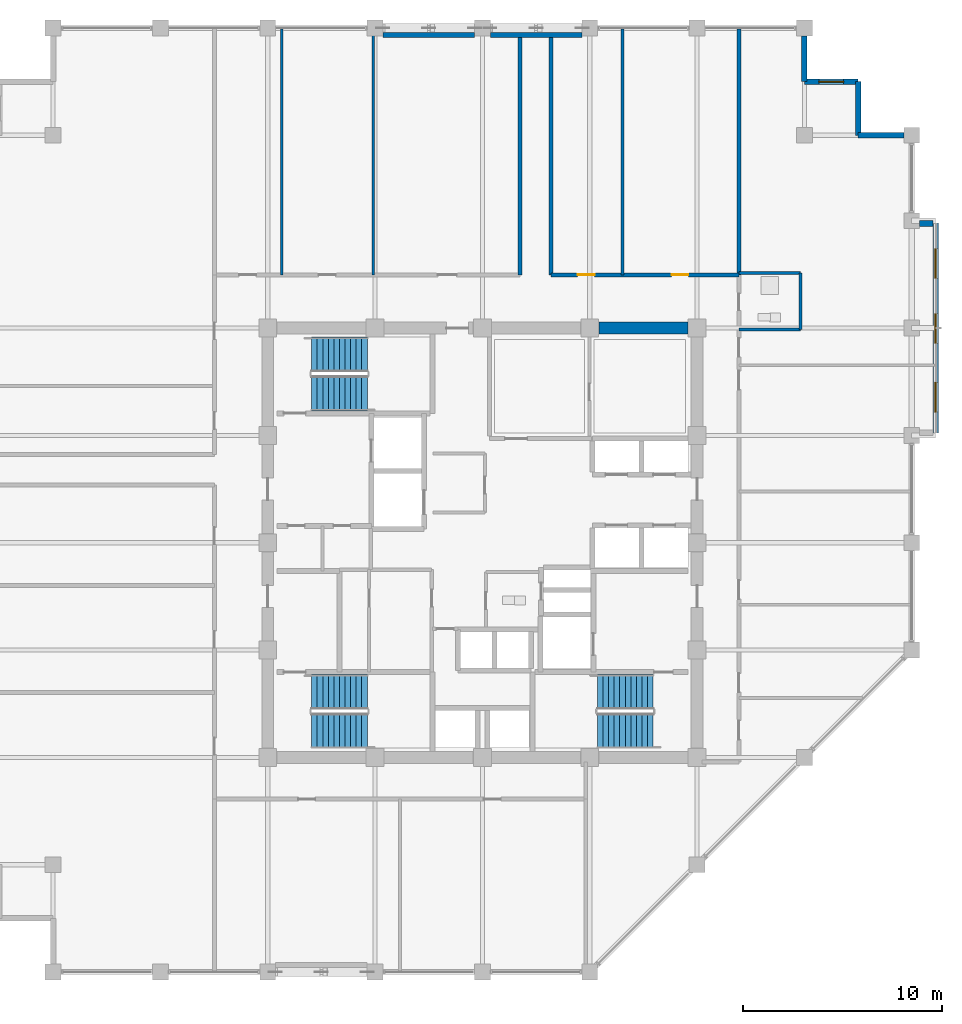
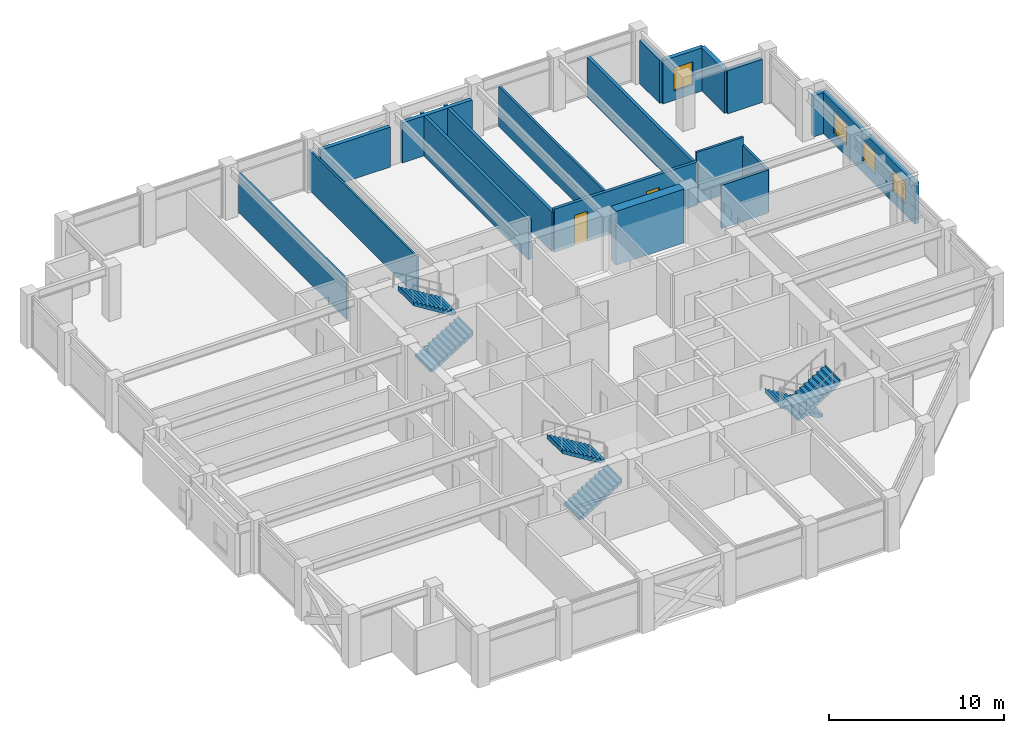
# One storey, part 27 of 30: 19 walls, 6 stair flights, 4 windows, 2 doors, 6 openings, 3 elements without a shape of their own.
"""IFC4 building model written with IfcOpenShell, lengths in metres."""

from ifc_helpers import new_model, si_unit, direction, frame, frame_2d, origin, place, context, subcontext, project, spatial, polyline, rectangle, outline, extrude, material, layer, layer_set, type_object, element, fill, aggregate, save


model = new_model("IFC4")

# Units and contexts
model_context = context("Model", 3, precision=1e-05, world=origin(), true_north=direction((0.0, 1.0)))
body_context = subcontext(model_context, "Body", "Model", "MODEL_VIEW")
ifc_project = project(units=[si_unit("LENGTHUNIT", "METRE"), si_unit("AREAUNIT", "SQUARE_METRE"), si_unit("VOLUMEUNIT", "CUBIC_METRE"), si_unit("PLANEANGLEUNIT", "RADIAN"), si_unit("MASSUNIT", "GRAM", prefix="KILO")], contexts=[model_context])

# Site, building, storey
site_placement = place(None, origin())
site = spatial("IfcSite", under=ifc_project, at=site_placement, CompositionType="ELEMENT")
building_placement = place(site_placement, origin())
building = spatial("IfcBuilding", under=site, at=building_placement, Name="Surkhivell Harbour Commons", CompositionType="ELEMENT")
storey_placement = place(building_placement, frame((0.0, 0.0, 231.0)))
storey = spatial("IfcBuildingStorey", under=building, at=storey_placement, Name="L60", CompositionType="ELEMENT", Elevation=231.0)

# Walls
ifc_material_1 = material(Name="Concrete C60/75", Category="concrete")
ifc_layer_1 = layer(ifc_material_1, 0.60009765625)
ifc_layer_set_1 = layer_set([ifc_layer_1], Name="Concrete C60/75")
wall_type_1 = type_object("IfcWallType", Name="WAL-CORE-600", PredefinedType="SHEAR", material=ifc_layer_set_1)
wall_1_placement = place(storey_placement, frame((5.860107421875, 10.800048828125, 0.0), z_axis=(0.0, 0.0, 1.0), x_axis=(1.0, 0.0, 0.0)))
element("IfcWall", 1, at=wall_1_placement, inside=storey, type_object=wall_type_1, Name="L60 Core Shear Wall North 4", PredefinedType="SHEAR", context=body_context, shape_type="SweptSolid", body=[
    extrude(rectangle(XDim=4.47998046875, YDim=0.60009765625, at=frame_2d((2.239990234375, 0.0))), origin(), (0.0, 0.0, 1.0), 3.75),
])
ifc_material_2 = material(Name="Pale-metal insulated precast concrete C45/55", Category="concrete")
ifc_layer_2 = layer(ifc_material_2, 0.260009765625)
ifc_layer_set_2 = layer_set([ifc_layer_2], Name="Pale-metal insulated precast concrete C45/55")
wall_type_2 = type_object("IfcWallType", Name="WAL-EXT-MTL260", PredefinedType="STANDARD", material=ifc_layer_set_2)
for number, where, z_axis, x_axis, name in (
    (2, (-0.39794921875, 25.5400390625, 0.0), (0.0, 0.0, 1.0), (-1.0, 0.0, 0.0), "L60 Braced-Bay Insulated Spandrel Backing N"),
    (3, (5.001953125, 25.5400390625, 0.0), (0.0, 0.0, 1.0), (-1.0, 0.0, 0.0), "L60 Braced-Bay Insulated Spandrel Backing N2"),
):
    element("IfcWall", number, at=place(storey_placement, frame(where, z_axis=z_axis, x_axis=x_axis)), inside=storey, type_object=wall_type_2, Name=name, PredefinedType="STANDARD", context=body_context, shape_type="SweptSolid", body=[
        extrude(rectangle(XDim=4.60400390625, YDim=0.260009765625, at=frame_2d((2.302001953125, 0.0))), origin(), (0.0, 0.0, 1.0), 2.780029296875),
    ])

# Wall, openings, windows
ifc_material_3 = material(Name="Terracotta-clad reinforced concrete C45/55", Category="masonry")
ifc_layer_3 = layer(ifc_material_3, 0.280029296875)
ifc_layer_set_3 = layer_set([ifc_layer_3], Name="Terracotta-clad reinforced concrete C45/55")
wall_type_3 = type_object("IfcWallType", Name="WAL-EXT-TER280", PredefinedType="STANDARD", material=ifc_layer_set_3)
wall_2_placement = place(storey_placement, frame((22.800048828125, 5.52001953125, 0.0), z_axis=(0.0, 0.0, 1.0), x_axis=(0.0, 1.0, 0.0)))
wall_2 = element("IfcWall", 4, at=wall_2_placement, inside=storey, type_object=wall_type_3, Name="L60 Coloured Box Front Wall 01", PredefinedType="STANDARD", context=body_context, shape_type="SweptSolid", body=[
    extrude(rectangle(XDim=10.56005859375, YDim=0.280029296875, at=frame_2d((5.280029296875, 0.0))), origin(), (0.0, 0.0, 1.0), 2.85693359375),
])
opening_1_placement = place(wall_2_placement, frame((1.044921875, 0.0, 0.75)))
opening_1 = element("IfcOpeningElement", 5, at=opening_1_placement, cuts=wall_2, Name="Opening WN-13", PredefinedType="OPENING", context=body_context, shape_type="SweptSolid", body=[
    extrude(rectangle(XDim=1.5, YDim=1.5, at=frame_2d((0.75, 0.75))), frame((0.0, 0.14990234375, 0.0), z_axis=(0.0, -1.0, 0.0), x_axis=(1.0, 0.0, 0.0)), (0.0, 0.0, 1.0), 0.300048828125),
])
opening_2_placement = place(wall_2_placement, frame((4.512451171875, 0.0, 0.75)))
opening_2 = element("IfcOpeningElement", 6, at=opening_2_placement, cuts=wall_2, Name="Opening WN-13", PredefinedType="OPENING", context=body_context, shape_type="SweptSolid", body=[
    extrude(rectangle(XDim=1.5, YDim=1.5, at=frame_2d((0.75, 0.75))), frame((0.0, 0.14990234375, 0.0), z_axis=(0.0, -1.0, 0.0), x_axis=(1.0, 0.0, 0.0)), (0.0, 0.0, 1.0), 0.300048828125),
])
opening_3_placement = place(wall_2_placement, frame((7.777587890625, 0.0, 0.75)))
opening_3 = element("IfcOpeningElement", 7, at=opening_3_placement, cuts=wall_2, Name="Opening WN-13", PredefinedType="OPENING", context=body_context, shape_type="SweptSolid", body=[
    extrude(rectangle(XDim=1.5, YDim=1.5, at=frame_2d((0.75, 0.75))), frame((0.0, 0.14990234375, 0.0), z_axis=(0.0, -1.0, 0.0), x_axis=(1.0, 0.0, 0.0)), (0.0, 0.0, 1.0), 0.300048828125),
])
ifc_material_4 = material(Name="Thermal-break aluminium frame and double low-E glazing", Category="aluminium")
window_type_1 = type_object("IfcWindowType", Name="WIN-BOX-1500x1500", PartitioningType="SINGLE_PANEL", PredefinedType="WINDOW", material=ifc_material_4)
window_1_placement = place(opening_1_placement, origin())
window_1 = element("IfcWindow", 8, at=window_1_placement, inside=storey, type_object=window_type_1, Name="L60 Coloured Box Square Window 01-1", OverallHeight=1.5, OverallWidth=1.5, PartitioningType="SINGLE_PANEL", PredefinedType="WINDOW", context=body_context, shape_type="SweptSolid", body=[
    extrude(rectangle(XDim=1.5, YDim=1.5, at=frame_2d((0.75, 0.75))), frame((0.0, 0.030029296875, 0.0), z_axis=(0.0, -1.0, 0.0), x_axis=(1.0, 0.0, 0.0)), (0.0, 0.0, 1.0), 0.06005859375),
])
fill(opening_1, window_1)
window_2_placement = place(opening_2_placement, origin())
window_2 = element("IfcWindow", 9, at=window_2_placement, inside=storey, type_object=window_type_1, Name="L60 Coloured Box Square Window 01-2", OverallHeight=1.5, OverallWidth=1.5, PartitioningType="SINGLE_PANEL", PredefinedType="WINDOW", context=body_context, shape_type="SweptSolid", body=[
    extrude(rectangle(XDim=1.5, YDim=1.5, at=frame_2d((0.75, 0.75))), frame((0.0, 0.030029296875, 0.0), z_axis=(0.0, -1.0, 0.0), x_axis=(1.0, 0.0, 0.0)), (0.0, 0.0, 1.0), 0.06005859375),
])
fill(opening_2, window_2)
window_3_placement = place(opening_3_placement, origin())
window_3 = element("IfcWindow", 10, at=window_3_placement, inside=storey, type_object=window_type_1, Name="L60 Coloured Box Square Window 01-3", OverallHeight=1.5, OverallWidth=1.5, PartitioningType="SINGLE_PANEL", PredefinedType="WINDOW", context=body_context, shape_type="SweptSolid", body=[
    extrude(rectangle(XDim=1.5, YDim=1.5, at=frame_2d((0.75, 0.75))), frame((0.0, 0.030029296875, 0.0), z_axis=(0.0, -1.0, 0.0), x_axis=(1.0, 0.0, 0.0)), (0.0, 0.0, 1.0), 0.06005859375),
])
fill(opening_3, window_3)

# Walls
wall_3_placement = place(storey_placement, frame((22.00390625, 16.06005859375, 0.0), z_axis=(0.0, 0.0, 1.0), x_axis=(1.0, 0.0, 0.0)))
element("IfcWall", 11, at=wall_3_placement, inside=storey, type_object=wall_type_3, Name="L60 Coloured Box Return Wall 01N", PredefinedType="STANDARD", context=body_context, shape_type="SweptSolid", body=[
    extrude(rectangle(XDim=0.656005859375, YDim=0.280029296875, at=frame_2d((0.328125, 0.0))), origin(), (0.0, 0.0, 1.0), 2.85693359375),
])
wall_4_placement = place(storey_placement, frame((21.201904296875, 20.5, 0.0), z_axis=(0.0, 0.0, 1.0), x_axis=(-1.0, 0.0, 0.0)))
element("IfcWall", 12, at=wall_4_placement, inside=storey, type_object=wall_type_3, Name="L60 Serrated Corner Facade Wall 03", PredefinedType="STANDARD", context=body_context, shape_type="SweptSolid", body=[
    extrude(rectangle(XDim=2.302001953125, YDim=0.280029296875, at=frame_2d((1.15087890625, 0.0))), origin(), (0.0, 0.0, 1.0), 3.006103515625),
])
wall_5_placement = place(storey_placement, frame((18.89990234375, 20.5, 0.0), z_axis=(0.0, 0.0, 1.0), x_axis=(0.0, 1.0, 0.0)))
element("IfcWall", 13, at=wall_5_placement, inside=storey, type_object=wall_type_3, Name="L60 Serrated Corner Facade Wall 04", PredefinedType="STANDARD", context=body_context, shape_type="SweptSolid", body=[
    extrude(rectangle(XDim=2.699951171875, YDim=0.280029296875, at=frame_2d((1.35009765625, 0.0))), origin(), (0.0, 0.0, 1.0), 3.006103515625),
])

# Wall, opening, window
wall_6_placement = place(storey_placement, frame((18.89990234375, 23.199951171875, 0.0), z_axis=(0.0, 0.0, 1.0), x_axis=(-1.0, 0.0, 0.0)))
wall_6 = element("IfcWall", 14, at=wall_6_placement, inside=storey, type_object=wall_type_3, Name="L60 Serrated Corner Facade Wall 05", PredefinedType="STANDARD", context=body_context, shape_type="SweptSolid", body=[
    extrude(rectangle(XDim=2.699951171875, YDim=0.280029296875, at=frame_2d((1.35009765625, 0.0))), origin(), (0.0, 0.0, 1.0), 3.006103515625),
])
opening_4_placement = place(wall_6_placement, frame((0.72509765625, 0.0, 0.64990234375)))
opening_4 = element("IfcOpeningElement", 15, at=opening_4_placement, cuts=wall_6, Name="Opening WN-09", PredefinedType="OPENING", context=body_context, shape_type="SweptSolid", body=[
    extrude(rectangle(XDim=1.25, YDim=1.60009765625, at=frame_2d((0.625, 0.800048828125))), frame((0.0, 0.14990234375, 0.0), z_axis=(0.0, -1.0, 0.0), x_axis=(1.0, 0.0, 0.0)), (0.0, 0.0, 1.0), 0.300048828125),
])
window_type_2 = type_object("IfcWindowType", Name="WIN-SER-1250x1600", PartitioningType="SINGLE_PANEL", PredefinedType="WINDOW", material=ifc_material_4)
window_4_placement = place(opening_4_placement, origin())
window_4 = element("IfcWindow", 16, at=window_4_placement, inside=storey, type_object=window_type_2, Name="L60 Serrated Alcove Window 05", OverallHeight=1.60009765625, OverallWidth=1.25, PartitioningType="SINGLE_PANEL", PredefinedType="WINDOW", context=body_context, shape_type="SweptSolid", body=[
    extrude(rectangle(XDim=1.25, YDim=1.60009765625, at=frame_2d((0.625, 0.800048828125))), frame((0.0, 0.030029296875, 0.0), z_axis=(0.0, -1.0, 0.0), x_axis=(1.0, 0.0, 0.0)), (0.0, 0.0, 1.0), 0.06005859375),
])
fill(opening_4, window_4)

# Walls
wall_7_placement = place(storey_placement, frame((16.199951171875, 23.199951171875, 0.0), z_axis=(0.0, 0.0, 1.0), x_axis=(0.0, 1.0, 0.0)))
element("IfcWall", 17, at=wall_7_placement, inside=storey, type_object=wall_type_3, Name="L60 Serrated Corner Facade Wall 06", PredefinedType="STANDARD", context=body_context, shape_type="SweptSolid", body=[
    extrude(rectangle(XDim=2.302001953125, YDim=0.280029296875, at=frame_2d((1.15087890625, 0.0))), origin(), (0.0, 0.0, 1.0), 3.006103515625),
])
ifc_material_5 = material(Name="Moisture-resistant acoustic stud partition", Category="other")
ifc_layer_4 = layer(ifc_material_5, 0.125)
ifc_layer_set_4 = layer_set([ifc_layer_4], Name="Moisture-resistant acoustic stud partition")
wall_type_4 = type_object("IfcWallType", Name="WAL-INT-125", PredefinedType="PARTITIONING", material=ifc_layer_set_4)
for number, where, z_axis, x_axis, name in (
    (18, (-10.10009765625, 13.47998046875, 0.0), (0.0, 0.0, 1.0), (0.0, 1.0, 0.0), "L60 North-West Partition P1"),
    (19, (-5.47998046875, 13.47998046875, 0.0), (0.0, 0.0, 1.0), (0.0, 1.0, 0.0), "L60 North-West Partition P2"),
):
    element("IfcWall", number, at=place(storey_placement, frame(where, z_axis=z_axis, x_axis=x_axis)), inside=storey, type_object=wall_type_4, Name=name, PredefinedType="PARTITIONING", context=body_context, shape_type="SweptSolid", body=[
        extrude(rectangle(XDim=12.360107421875, YDim=0.125, at=frame_2d((6.18017578125, 0.0))), origin(), (0.0, 0.0, 1.0), 2.780029296875),
    ])
ifc_material_6 = material(Name="Twin-stud acoustic fireboard partition", Category="other")
ifc_layer_5 = layer(ifc_material_6, 0.14990234375)
ifc_layer_set_5 = layer_set([ifc_layer_5], Name="Twin-stud acoustic fireboard partition")
wall_type_5 = type_object("IfcWallType", Name="WAL-INT-150", PredefinedType="PARTITIONING", material=ifc_layer_set_5)
wall_8_placement = place(storey_placement, frame((16.0, 10.72998046875, 0.0), z_axis=(0.0, 0.0, 1.0), x_axis=(0.0, 1.0, 0.0)))
element("IfcWall", 20, at=wall_8_placement, inside=storey, type_object=wall_type_5, Name="L60 East Partition BTHB", PredefinedType="PARTITIONING", context=body_context, shape_type="SweptSolid", body=[
    extrude(rectangle(XDim=2.85009765625, YDim=0.14990234375, at=frame_2d((1.425048828125, 0.0))), origin(), (0.0, 0.0, 1.0), 3.006103515625),
])
wall_9_placement = place(storey_placement, frame((12.89990234375, 13.580078125, 0.0), z_axis=(0.0, 0.0, 1.0), x_axis=(1.0, 0.0, 0.0)))
element("IfcWall", 21, at=wall_9_placement, inside=storey, type_object=wall_type_5, Name="L60 East Partition BTHN", PredefinedType="PARTITIONING", context=body_context, shape_type="SweptSolid", body=[
    extrude(rectangle(XDim=3.10009765625, YDim=0.14990234375, at=frame_2d((1.550048828125, 0.0))), origin(), (0.0, 0.0, 1.0), 3.570068359375),
])
wall_10_placement = place(storey_placement, frame((12.89990234375, 10.72998046875, 0.0), z_axis=(0.0, 0.0, 1.0), x_axis=(1.0, 0.0, 0.0)))
element("IfcWall", 22, at=wall_10_placement, inside=storey, type_object=wall_type_5, Name="L60 East Partition BTHS", PredefinedType="PARTITIONING", context=body_context, shape_type="SweptSolid", body=[
    extrude(rectangle(XDim=3.10009765625, YDim=0.14990234375, at=frame_2d((1.550048828125, 0.0))), origin(), (0.0, 0.0, 1.0), 3.006103515625),
])
wall_11_placement = place(storey_placement, frame((7.0400390625, 13.47998046875, 0.0), z_axis=(0.0, 0.0, 1.0), x_axis=(0.0, 1.0, 0.0)))
element("IfcWall", 23, at=wall_11_placement, inside=storey, type_object=wall_type_5, Name="L60 North-East Partition P1", PredefinedType="PARTITIONING", context=body_context, shape_type="SweptSolid", body=[
    extrude(rectangle(XDim=12.360107421875, YDim=0.14990234375, at=frame_2d((6.18017578125, 0.0))), origin(), (0.0, 0.0, 1.0), 2.780029296875),
])
ifc_material_7 = material(Name="Autoclaved aerated concrete blockwork and fire plaster", Category="masonry")
ifc_layer_6 = layer(ifc_material_7, 0.199951171875)
ifc_layer_set_6 = layer_set([ifc_layer_6], Name="Autoclaved aerated concrete blockwork and fire plaster")
wall_type_6 = type_object("IfcWallType", Name="WAL-INT-200", PredefinedType="PARTITIONING", material=ifc_layer_set_6)
wall_12_placement = place(storey_placement, frame((12.89990234375, 13.47998046875, 0.0), z_axis=(0.0, 0.0, 1.0), x_axis=(0.0, 1.0, 0.0)))
element("IfcWall", 24, at=wall_12_placement, inside=storey, type_object=wall_type_6, Name="L60 North-East Corner Wall", PredefinedType="PARTITIONING", context=body_context, shape_type="SweptSolid", body=[
    extrude(rectangle(XDim=12.360107421875, YDim=0.199951171875, at=frame_2d((6.18017578125, 0.0))), origin(), (0.0, 0.0, 1.0), 2.780029296875),
])

# Wall, openings, doors
wall_13_placement = place(storey_placement, frame((3.449951171875, 13.47998046875, 0.0), z_axis=(0.0, 0.0, 1.0), x_axis=(1.0, 0.0, 0.0)))
wall_13 = element("IfcWall", 25, at=wall_13_placement, inside=storey, type_object=wall_type_6, Name="L60 Corridor North-East Wall", PredefinedType="PARTITIONING", context=body_context, shape_type="SweptSolid", body=[
    extrude(rectangle(XDim=9.449951171875, YDim=0.199951171875, at=frame_2d((4.72509765625, 0.0))), origin(), (0.0, 0.0, 1.0), 3.006103515625),
])
opening_5_placement = place(wall_13_placement, frame((1.344970703125, 0.0, 0.0)))
opening_5 = element("IfcOpeningElement", 26, at=opening_5_placement, cuts=wall_13, Name="Opening ID-6", PredefinedType="OPENING", context=body_context, shape_type="SweptSolid", body=[
    extrude(rectangle(XDim=0.85009765625, YDim=2.10009765625, at=frame_2d((0.425048828125, 1.050048828125))), frame((0.0, 0.10986328125, 0.0), z_axis=(0.0, -1.0, 0.0), x_axis=(1.0, 0.0, 0.0)), (0.0, 0.0, 1.0), 0.219970703125),
])
opening_6_placement = place(wall_13_placement, frame((6.070068359375, 0.0, 0.0)))
opening_6 = element("IfcOpeningElement", 27, at=opening_6_placement, cuts=wall_13, Name="Opening ID-6", PredefinedType="OPENING", context=body_context, shape_type="SweptSolid", body=[
    extrude(rectangle(XDim=0.85009765625, YDim=2.10009765625, at=frame_2d((0.425048828125, 1.050048828125))), frame((0.0, 0.10986328125, 0.0), z_axis=(0.0, -1.0, 0.0), x_axis=(1.0, 0.0, 0.0)), (0.0, 0.0, 1.0), 0.219970703125),
])
ifc_material_8 = material(Name="Hardwood-veneered fire-rated door leaf", Category="wood")
door_type = type_object("IfcDoorType", Name="DOR-FD30-850", OperationType="NOTDEFINED", PredefinedType="DOOR", material=ifc_material_8)
door_1_placement = place(opening_5_placement, origin())
door_1 = element("IfcDoor", 28, at=door_1_placement, inside=storey, type_object=door_type, Name="L60 Harbour Reading Library North-East Door", OperationType="SINGLE_SWING_LEFT", OverallHeight=2.10009765625, OverallWidth=0.85009765625, PredefinedType="DOOR", context=body_context, shape_type="SweptSolid", body=[
    extrude(rectangle(XDim=0.85009765625, YDim=2.10009765625, at=frame_2d((0.425048828125, 1.050048828125))), frame((0.0, 0.02490234375, 0.0), z_axis=(0.0, -1.0, 0.0), x_axis=(1.0, 0.0, 0.0)), (0.0, 0.0, 1.0), 0.050048828125),
])
fill(opening_5, door_1)
door_2_placement = place(opening_6_placement, origin())
door_2 = element("IfcDoor", 29, at=door_2_placement, inside=storey, type_object=door_type, Name="L60 Communal Dining Hall North-East Door", OperationType="SINGLE_SWING_RIGHT", OverallHeight=2.10009765625, OverallWidth=0.85009765625, PredefinedType="DOOR", context=body_context, shape_type="SweptSolid", body=[
    extrude(rectangle(XDim=0.85009765625, YDim=2.10009765625, at=frame_2d((0.425048828125, 1.050048828125))), frame((0.0, 0.02490234375, 0.0), z_axis=(0.0, -1.0, 0.0), x_axis=(1.0, 0.0, 0.0)), (0.0, 0.0, 1.0), 0.050048828125),
])
fill(opening_6, door_2)

# Walls
for number, where, z_axis, x_axis, name in (
    (30, (3.449951171875, 13.47998046875, 0.0), (0.0, 0.0, 1.0), (0.0, 1.0, 0.0), "L60 North Spur East Wall"),
    (31, (1.89990234375, 13.47998046875, 0.0), (0.0, 0.0, 1.0), (0.0, 1.0, 0.0), "L60 North Spur West Wall"),
):
    element("IfcWall", number, at=place(storey_placement, frame(where, z_axis=z_axis, x_axis=x_axis)), inside=storey, type_object=wall_type_6, Name=name, PredefinedType="PARTITIONING", context=body_context, shape_type="SweptSolid", body=[
        extrude(rectangle(XDim=12.360107421875, YDim=0.199951171875, at=frame_2d((6.18017578125, 0.0))), origin(), (0.0, 0.0, 1.0), 2.780029296875),
    ])

# Stair, stair flights
ifc_material_9 = material(Name="Precast concrete C45/55", Category="concrete")
stair_type = type_object("IfcStairType", Name="STR-DL-375", PredefinedType="HALF_TURN_STAIR", material=ifc_material_9)
stair_1_placement = place(storey_placement, origin())
stair_1 = element("IfcStair", 32, at=stair_1_placement, inside=storey, type_object=stair_type, Name="L60 Core Exit Stair ST1", PredefinedType="HALF_TURN_STAIR")
stair_flight_type = type_object("IfcStairFlightType", Name="STF-DL-375", PredefinedType="STRAIGHT", material=ifc_material_9)
stair_flight_1_placement = place(storey_placement, frame((-8.590087890625, 7.514892578125, 0.0), z_axis=(0.0, 0.0, 1.0), x_axis=(1.0, 0.0, 0.0)))
stair_flight_1 = element("IfcStairFlight", 33, at=stair_flight_1_placement, type_object=stair_flight_type, Name="ST1 flight 1", NumberOfRisers=11, NumberOfTreads=10, PredefinedType="STRAIGHT", RiserHeight=0.170454545, TreadLength=0.28, context=body_context, shape_type="SweptSolid", body=[
    extrude(outline(polyline([(-0.0029296875, -0.034912109375), (-0.0029296875, 0.0), (0.0, 0.0), (0.0, 0.17041015625), (0.280029296875, 0.17041015625), (0.280029296875, 0.3408203125), (0.56005859375, 0.3408203125), (0.56005859375, 0.511474609375), (0.840087890625, 0.511474609375), (0.840087890625, 0.681884765625), (1.1201171875, 0.681884765625), (1.1201171875, 0.852294921875), (1.39990234375, 0.852294921875), (1.39990234375, 1.022705078125), (1.679931640625, 1.022705078125), (1.679931640625, 1.193115234375), (1.9599609375, 1.193115234375), (1.9599609375, 1.363525390625), (2.239990234375, 1.363525390625), (2.239990234375, 1.5341796875), (2.52001953125, 1.5341796875), (2.52001953125, 1.70458984375), (2.800048828125, 1.70458984375), (2.800048828125, 1.875), (2.802978515625, 1.875), (2.802978515625, 1.529052734375), (0.288330078125, -0.034912109375), (-0.0029296875, -0.034912109375)])), frame((0.0, 0.875, 0.0), z_axis=(0.0, -1.0, 0.0), x_axis=(1.0, 0.0, 0.0)), (0.0, 0.0, 1.0), 1.75),
])
stair_flight_2_placement = place(storey_placement, frame((-5.7900390625, 9.465087890625, 1.875), z_axis=(0.0, 0.0, 1.0), x_axis=(-1.0, 0.0, 0.0)))
stair_flight_2 = element("IfcStairFlight", 34, at=stair_flight_2_placement, type_object=stair_flight_type, Name="ST1 flight 2", NumberOfRisers=11, NumberOfTreads=10, PredefinedType="STRAIGHT", RiserHeight=0.170454545, TreadLength=0.28, context=body_context, shape_type="SweptSolid", body=[
    extrude(outline(polyline([(-0.0029296875, -0.034912109375), (-0.0029296875, 0.0), (0.0, 0.0), (0.0, 0.17041015625), (0.280029296875, 0.17041015625), (0.280029296875, 0.3408203125), (0.56005859375, 0.3408203125), (0.56005859375, 0.511474609375), (0.840087890625, 0.511474609375), (0.840087890625, 0.681884765625), (1.1201171875, 0.681884765625), (1.1201171875, 0.852294921875), (1.39990234375, 0.852294921875), (1.39990234375, 1.022705078125), (1.679931640625, 1.022705078125), (1.679931640625, 1.193115234375), (1.9599609375, 1.193115234375), (1.9599609375, 1.363525390625), (2.239990234375, 1.363525390625), (2.239990234375, 1.5341796875), (2.52001953125, 1.5341796875), (2.52001953125, 1.70458984375), (2.800048828125, 1.70458984375), (2.800048828125, 1.875), (2.802978515625, 1.875), (2.802978515625, 1.529052734375), (0.288330078125, -0.034912109375), (-0.0029296875, -0.034912109375)])), frame((0.0, 0.875, 0.0), z_axis=(0.0, -1.0, 0.0), x_axis=(1.0, 0.0, 0.0)), (0.0, 0.0, 1.0), 1.75),
])
aggregate(stair_1, [stair_flight_1, stair_flight_2])

stair_2_placement = place(storey_placement, origin())
stair_2 = element("IfcStair", 35, at=stair_2_placement, inside=storey, type_object=stair_type, Name="L60 Core Exit Stair ST2", PredefinedType="HALF_TURN_STAIR")
stair_flight_3_placement = place(storey_placement, frame((8.590087890625, -7.514892578125, 0.0), z_axis=(0.0, 0.0, 1.0), x_axis=(-1.0, 0.0, 0.0)))
stair_flight_3 = element("IfcStairFlight", 36, at=stair_flight_3_placement, type_object=stair_flight_type, Name="ST2 flight 1", NumberOfRisers=11, NumberOfTreads=10, PredefinedType="STRAIGHT", RiserHeight=0.170454545, TreadLength=0.28, context=body_context, shape_type="SweptSolid", body=[
    extrude(outline(polyline([(-0.0029296875, -0.034912109375), (-0.0029296875, 0.0), (0.0, 0.0), (0.0, 0.17041015625), (0.280029296875, 0.17041015625), (0.280029296875, 0.3408203125), (0.56005859375, 0.3408203125), (0.56005859375, 0.511474609375), (0.840087890625, 0.511474609375), (0.840087890625, 0.681884765625), (1.1201171875, 0.681884765625), (1.1201171875, 0.852294921875), (1.39990234375, 0.852294921875), (1.39990234375, 1.022705078125), (1.679931640625, 1.022705078125), (1.679931640625, 1.193115234375), (1.9599609375, 1.193115234375), (1.9599609375, 1.363525390625), (2.239990234375, 1.363525390625), (2.239990234375, 1.5341796875), (2.52001953125, 1.5341796875), (2.52001953125, 1.70458984375), (2.800048828125, 1.70458984375), (2.800048828125, 1.875), (2.802978515625, 1.875), (2.802978515625, 1.529052734375), (0.288330078125, -0.034912109375), (-0.0029296875, -0.034912109375)])), frame((0.0, 0.875, 0.0), z_axis=(0.0, -1.0, 0.0), x_axis=(1.0, 0.0, 0.0)), (0.0, 0.0, 1.0), 1.75),
])
stair_flight_4_placement = place(storey_placement, frame((5.7900390625, -9.465087890625, 1.875), z_axis=(0.0, 0.0, 1.0), x_axis=(1.0, 0.0, 0.0)))
stair_flight_4 = element("IfcStairFlight", 37, at=stair_flight_4_placement, type_object=stair_flight_type, Name="ST2 flight 2", NumberOfRisers=11, NumberOfTreads=10, PredefinedType="STRAIGHT", RiserHeight=0.170454545, TreadLength=0.28, context=body_context, shape_type="SweptSolid", body=[
    extrude(outline(polyline([(-0.0029296875, -0.034912109375), (-0.0029296875, 0.0), (0.0, 0.0), (0.0, 0.17041015625), (0.280029296875, 0.17041015625), (0.280029296875, 0.3408203125), (0.56005859375, 0.3408203125), (0.56005859375, 0.511474609375), (0.840087890625, 0.511474609375), (0.840087890625, 0.681884765625), (1.1201171875, 0.681884765625), (1.1201171875, 0.852294921875), (1.39990234375, 0.852294921875), (1.39990234375, 1.022705078125), (1.679931640625, 1.022705078125), (1.679931640625, 1.193115234375), (1.9599609375, 1.193115234375), (1.9599609375, 1.363525390625), (2.239990234375, 1.363525390625), (2.239990234375, 1.5341796875), (2.52001953125, 1.5341796875), (2.52001953125, 1.70458984375), (2.800048828125, 1.70458984375), (2.800048828125, 1.875), (2.802978515625, 1.875), (2.802978515625, 1.529052734375), (0.288330078125, -0.034912109375), (-0.0029296875, -0.034912109375)])), frame((0.0, 0.875, 0.0), z_axis=(0.0, -1.0, 0.0), x_axis=(1.0, 0.0, 0.0)), (0.0, 0.0, 1.0), 1.75),
])
aggregate(stair_2, [stair_flight_3, stair_flight_4])

stair_3_placement = place(storey_placement, origin())
stair_3 = element("IfcStair", 38, at=stair_3_placement, inside=storey, type_object=stair_type, Name="L60 Core Exit Stair ST3", PredefinedType="HALF_TURN_STAIR")
stair_flight_5_placement = place(storey_placement, frame((-8.590087890625, -9.465087890625, 0.0), z_axis=(0.0, 0.0, 1.0), x_axis=(1.0, 0.0, 0.0)))
stair_flight_5 = element("IfcStairFlight", 39, at=stair_flight_5_placement, type_object=stair_flight_type, Name="ST3 flight 1", NumberOfRisers=11, NumberOfTreads=10, PredefinedType="STRAIGHT", RiserHeight=0.170454545, TreadLength=0.28, context=body_context, shape_type="SweptSolid", body=[
    extrude(outline(polyline([(-0.0029296875, -0.034912109375), (-0.0029296875, 0.0), (0.0, 0.0), (0.0, 0.17041015625), (0.280029296875, 0.17041015625), (0.280029296875, 0.3408203125), (0.56005859375, 0.3408203125), (0.56005859375, 0.511474609375), (0.840087890625, 0.511474609375), (0.840087890625, 0.681884765625), (1.1201171875, 0.681884765625), (1.1201171875, 0.852294921875), (1.39990234375, 0.852294921875), (1.39990234375, 1.022705078125), (1.679931640625, 1.022705078125), (1.679931640625, 1.193115234375), (1.9599609375, 1.193115234375), (1.9599609375, 1.363525390625), (2.239990234375, 1.363525390625), (2.239990234375, 1.5341796875), (2.52001953125, 1.5341796875), (2.52001953125, 1.70458984375), (2.800048828125, 1.70458984375), (2.800048828125, 1.875), (2.802978515625, 1.875), (2.802978515625, 1.529052734375), (0.288330078125, -0.034912109375), (-0.0029296875, -0.034912109375)])), frame((0.0, 0.875, 0.0), z_axis=(0.0, -1.0, 0.0), x_axis=(1.0, 0.0, 0.0)), (0.0, 0.0, 1.0), 1.75),
])
stair_flight_6_placement = place(storey_placement, frame((-5.7900390625, -7.514892578125, 1.875), z_axis=(0.0, 0.0, 1.0), x_axis=(-1.0, 0.0, 0.0)))
stair_flight_6 = element("IfcStairFlight", 40, at=stair_flight_6_placement, type_object=stair_flight_type, Name="ST3 flight 2", NumberOfRisers=11, NumberOfTreads=10, PredefinedType="STRAIGHT", RiserHeight=0.170454545, TreadLength=0.28, context=body_context, shape_type="SweptSolid", body=[
    extrude(outline(polyline([(-0.0029296875, -0.034912109375), (-0.0029296875, 0.0), (0.0, 0.0), (0.0, 0.17041015625), (0.280029296875, 0.17041015625), (0.280029296875, 0.3408203125), (0.56005859375, 0.3408203125), (0.56005859375, 0.511474609375), (0.840087890625, 0.511474609375), (0.840087890625, 0.681884765625), (1.1201171875, 0.681884765625), (1.1201171875, 0.852294921875), (1.39990234375, 0.852294921875), (1.39990234375, 1.022705078125), (1.679931640625, 1.022705078125), (1.679931640625, 1.193115234375), (1.9599609375, 1.193115234375), (1.9599609375, 1.363525390625), (2.239990234375, 1.363525390625), (2.239990234375, 1.5341796875), (2.52001953125, 1.5341796875), (2.52001953125, 1.70458984375), (2.800048828125, 1.70458984375), (2.800048828125, 1.875), (2.802978515625, 1.875), (2.802978515625, 1.529052734375), (0.288330078125, -0.034912109375), (-0.0029296875, -0.034912109375)])), frame((0.0, 0.875, 0.0), z_axis=(0.0, -1.0, 0.0), x_axis=(1.0, 0.0, 0.0)), (0.0, 0.0, 1.0), 1.75),
])
aggregate(stair_3, [stair_flight_5, stair_flight_6])

save(model, "model.ifc")
